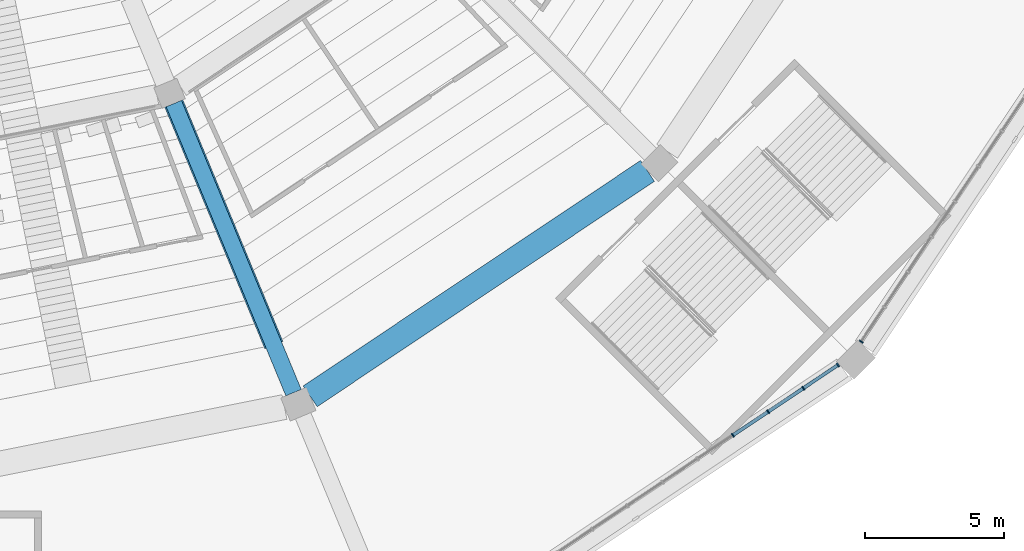
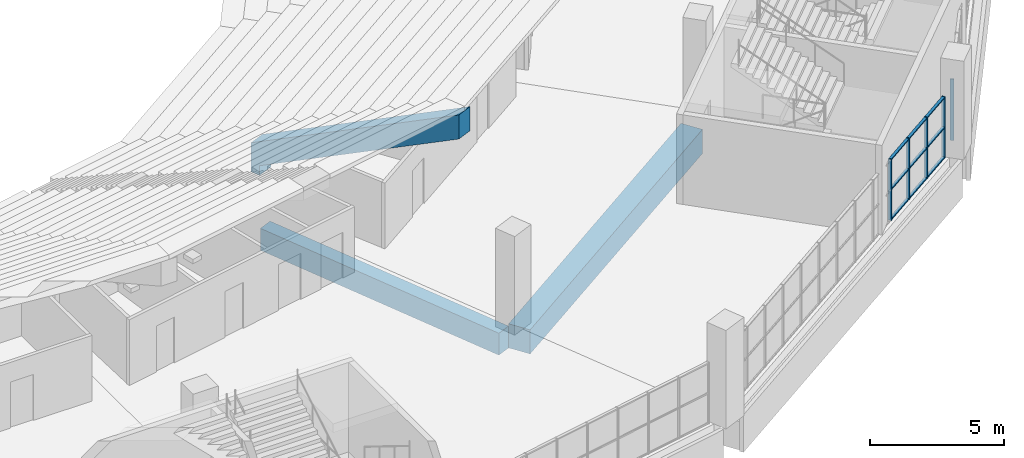
# One storey, part 27 of 249: 14 members, 3 beams, 2 elements without a shape of their own.
"""IFC4 building model written with IfcOpenShell, lengths in metres."""

from ifc_helpers import new_model, si_unit, direction, frame, origin, origin_2d, place, context, subcontext, project, spatial, polyline, rectangle, outline, extrude, material, material_profile, profile_set, type_object, element, aggregate, save


model = new_model("IFC4")

# Units and contexts
model_context = context("Model", 3, precision=1e-05, world=origin(), true_north=direction((0.0, 1.0)))
body_context = subcontext(model_context, "Body", "Model", "MODEL_VIEW")
ifc_project = project(units=[si_unit("LENGTHUNIT", "METRE"), si_unit("AREAUNIT", "SQUARE_METRE"), si_unit("VOLUMEUNIT", "CUBIC_METRE"), si_unit("PLANEANGLEUNIT", "RADIAN"), si_unit("MASSUNIT", "GRAM", prefix="KILO")], contexts=[model_context])

# Site, building, storey
site_placement = place(None, origin())
site = spatial("IfcSite", under=ifc_project, at=site_placement, CompositionType="ELEMENT")
building_placement = place(site_placement, origin())
building = spatial("IfcBuilding", under=site, at=building_placement, Name="Ogive Plaza Stadium", CompositionType="ELEMENT")
storey_placement = place(building_placement, frame((0.0, 0.0, 13.5)))
storey = spatial("IfcBuildingStorey", under=building, at=storey_placement, Name="L03", CompositionType="ELEMENT", Elevation=13.5)

# Curtain wall, member
ifc_material_1 = material(Name="Bronze-anodised aluminium with laminated glass", Category="aluminium")
curtain_wall_type = type_object("IfcCurtainWallType", Name="Lancet curtain wall", PredefinedType="NOTDEFINED", material=ifc_material_1)
curtain_wall_1_placement = place(storey_placement, origin())
curtain_wall_1 = element("IfcCurtainWall", 1, at=curtain_wall_1_placement, inside=storey, type_object=curtain_wall_type, Name="CURTAIN WALL B09 L03", PredefinedType="NOTDEFINED")
ifc_material_2 = material(Name="Bronze-anodised aluminium", Category="aluminium")
ifc_material_profile_1 = material_profile(ifc_material_2, rectangle(XDim=0.14990234375, YDim=0.050048828125, at=origin_2d()), Name="AL 150x50")
ifc_profile_set_1 = profile_set([ifc_material_profile_1], Name="Bronze-anodised aluminium")
member_type_1 = type_object("IfcMemberType", Name="Curtain wall mullion 50x150", PredefinedType="MULLION", material=ifc_profile_set_1)
member_1_placement = place(storey_placement, frame((69.547607421875, -87.20751953125, 0.0), z_axis=(0.0, 0.0, 1.0), x_axis=(0.831469612303, -0.55557023302, 0.0)))
member_1 = element("IfcMember", 2, at=member_1_placement, type_object=member_type_1, Name="CW-B09-L03 mullion 13", PredefinedType="MULLION", context=body_context, shape_type="SweptSolid", body=[
    extrude(rectangle(XDim=0.14990234375, YDim=0.050048828125, at=origin_2d()), origin(), (0.0, 0.0, 1.0), 2.7900390625),
])
aggregate(curtain_wall_1, [member_1])

# Curtain wall, members
curtain_wall_2_placement = place(storey_placement, origin())
curtain_wall_2 = element("IfcCurtainWall", 3, at=curtain_wall_2_placement, inside=storey, type_object=curtain_wall_type, Name="CURTAIN WALL B10 L03", PredefinedType="NOTDEFINED")
member_2_placement = place(storey_placement, frame((68.70751953125, -88.047607421875, 0.0), z_axis=(0.0, 0.0, 1.0), x_axis=(0.55557023302, -0.831469612303, 0.0)))
member_2 = element("IfcMember", 4, at=member_2_placement, type_object=member_type_1, Name="CW-B10-L03 mullion 1", PredefinedType="MULLION", context=body_context, shape_type="SweptSolid", body=[
    extrude(rectangle(XDim=0.14990234375, YDim=0.050048828125, at=origin_2d()), origin(), (0.0, 0.0, 1.0), 2.7900390625),
])
member_3_placement = place(storey_placement, frame((67.462646484375, -88.879638671875, 0.0), z_axis=(0.0, 0.0, 1.0), x_axis=(0.55557023302, -0.831469612303, 0.0)))
member_3 = element("IfcMember", 5, at=member_3_placement, type_object=member_type_1, Name="CW-B10-L03 mullion 2", PredefinedType="MULLION", context=body_context, shape_type="SweptSolid", body=[
    extrude(rectangle(XDim=0.14990234375, YDim=0.050048828125, at=origin_2d()), origin(), (0.0, 0.0, 1.0), 2.7900390625),
])
member_4_placement = place(storey_placement, frame((66.19677734375, -89.725341796875, 0.0), z_axis=(0.0, 0.0, 1.0), x_axis=(0.55557023302, -0.831469612303, 0.0)))
member_4 = element("IfcMember", 6, at=member_4_placement, type_object=member_type_1, Name="CW-B10-L03 mullion 3", PredefinedType="MULLION", context=body_context, shape_type="SweptSolid", body=[
    extrude(rectangle(XDim=0.14990234375, YDim=0.050048828125, at=origin_2d()), origin(), (0.0, 0.0, 1.0), 2.7900390625),
])
member_5_placement = place(storey_placement, frame((64.930908203125, -90.571044921875, 0.0), z_axis=(0.0, 0.0, 1.0), x_axis=(0.55557023302, -0.831469612303, 0.0)))
member_5 = element("IfcMember", 7, at=member_5_placement, type_object=member_type_1, Name="CW-B10-L03 mullion 4", PredefinedType="MULLION", context=body_context, shape_type="SweptSolid", body=[
    extrude(rectangle(XDim=0.14990234375, YDim=0.050048828125, at=origin_2d()), origin(), (0.0, 0.0, 1.0), 2.7900390625),
])
ifc_material_3 = material(Name="Bronze-anodised aluminium", Category="aluminium")
ifc_material_profile_2 = material_profile(ifc_material_3, rectangle(XDim=0.1201171875, YDim=0.050048828125, at=origin_2d()), Name="AL 120x50")
ifc_profile_set_2 = profile_set([ifc_material_profile_2], Name="Bronze-anodised aluminium")
member_type_2 = type_object("IfcMemberType", Name="Curtain wall transom 50x120", PredefinedType="USERDEFINED", material=ifc_profile_set_2)
member_6_placement = place(storey_placement, frame((68.686767578125, -88.0615234375, 0.02490234375), z_axis=(-0.831426948977, -0.555634077892, 0.0), x_axis=(0.555634077892, -0.831426948977, 0.0)))
member_6 = element("IfcMember", 8, at=member_6_placement, type_object=member_type_2, Name="CW-B10-L03 transom 1.1", ObjectType="TRANSOM", PredefinedType="USERDEFINED", context=body_context, shape_type="SweptSolid", body=[
    extrude(rectangle(XDim=0.1201171875, YDim=0.050048828125, at=origin_2d()), origin(), (0.0, 0.0, 1.0), 1.447265625),
])
member_7_placement = place(storey_placement, frame((68.686767578125, -88.0615234375, 1.39501953125), z_axis=(-0.831426948977, -0.555634077892, 0.0), x_axis=(0.555634077892, -0.831426948977, 0.0)))
member_7 = element("IfcMember", 9, at=member_7_placement, type_object=member_type_2, Name="CW-B10-L03 transom 1.2", ObjectType="TRANSOM", PredefinedType="USERDEFINED", context=body_context, shape_type="SweptSolid", body=[
    extrude(rectangle(XDim=0.1201171875, YDim=0.050048828125, at=origin_2d()), origin(), (0.0, 0.0, 1.0), 1.447265625),
])
member_8_placement = place(storey_placement, frame((68.686767578125, -88.0615234375, 2.764892578125), z_axis=(-0.831426948977, -0.555634077892, 0.0), x_axis=(0.555634077892, -0.831426948977, 0.0)))
member_8 = element("IfcMember", 10, at=member_8_placement, type_object=member_type_2, Name="CW-B10-L03 transom 1.3", ObjectType="TRANSOM", PredefinedType="USERDEFINED", context=body_context, shape_type="SweptSolid", body=[
    extrude(rectangle(XDim=0.1201171875, YDim=0.050048828125, at=origin_2d()), origin(), (0.0, 0.0, 1.0), 1.447265625),
])
member_9_placement = place(storey_placement, frame((67.441650390625, -88.893310546875, 0.02490234375), z_axis=(-0.831411982446, -0.555656472512, 0.0), x_axis=(0.555656472512, -0.831411982446, 0.0)))
member_9 = element("IfcMember", 11, at=member_9_placement, type_object=member_type_2, Name="CW-B10-L03 transom 2.1", ObjectType="TRANSOM", PredefinedType="USERDEFINED", context=body_context, shape_type="SweptSolid", body=[
    extrude(rectangle(XDim=0.1201171875, YDim=0.050048828125, at=origin_2d()), origin(), (0.0, 0.0, 1.0), 1.472412109375),
])
member_10_placement = place(storey_placement, frame((67.441650390625, -88.893310546875, 1.39501953125), z_axis=(-0.831411982446, -0.555656472512, 0.0), x_axis=(0.555656472512, -0.831411982446, 0.0)))
member_10 = element("IfcMember", 12, at=member_10_placement, type_object=member_type_2, Name="CW-B10-L03 transom 2.2", ObjectType="TRANSOM", PredefinedType="USERDEFINED", context=body_context, shape_type="SweptSolid", body=[
    extrude(rectangle(XDim=0.1201171875, YDim=0.050048828125, at=origin_2d()), origin(), (0.0, 0.0, 1.0), 1.472412109375),
])
member_11_placement = place(storey_placement, frame((67.441650390625, -88.893310546875, 2.764892578125), z_axis=(-0.831411982446, -0.555656472512, 0.0), x_axis=(0.555656472512, -0.831411982446, 0.0)))
member_11 = element("IfcMember", 13, at=member_11_placement, type_object=member_type_2, Name="CW-B10-L03 transom 2.3", ObjectType="TRANSOM", PredefinedType="USERDEFINED", context=body_context, shape_type="SweptSolid", body=[
    extrude(rectangle(XDim=0.1201171875, YDim=0.050048828125, at=origin_2d()), origin(), (0.0, 0.0, 1.0), 1.472412109375),
])
member_12_placement = place(storey_placement, frame((66.176025390625, -89.7392578125, 0.02490234375), z_axis=(-0.83153975619, -0.555465240925, 0.0), x_axis=(0.555465240925, -0.83153975619, 0.0)))
member_12 = element("IfcMember", 14, at=member_12_placement, type_object=member_type_2, Name="CW-B10-L03 transom 3.1", ObjectType="TRANSOM", PredefinedType="USERDEFINED", context=body_context, shape_type="SweptSolid", body=[
    extrude(rectangle(XDim=0.1201171875, YDim=0.050048828125, at=origin_2d()), origin(), (0.0, 0.0, 1.0), 1.472412109375),
])
member_13_placement = place(storey_placement, frame((66.176025390625, -89.7392578125, 1.39501953125), z_axis=(-0.83153975619, -0.555465240925, 0.0), x_axis=(0.555465240925, -0.83153975619, 0.0)))
member_13 = element("IfcMember", 15, at=member_13_placement, type_object=member_type_2, Name="CW-B10-L03 transom 3.2", ObjectType="TRANSOM", PredefinedType="USERDEFINED", context=body_context, shape_type="SweptSolid", body=[
    extrude(rectangle(XDim=0.1201171875, YDim=0.050048828125, at=origin_2d()), origin(), (0.0, 0.0, 1.0), 1.472412109375),
])
member_14_placement = place(storey_placement, frame((66.176025390625, -89.7392578125, 2.764892578125), z_axis=(-0.83153975619, -0.555465240925, 0.0), x_axis=(0.555465240925, -0.83153975619, 0.0)))
member_14 = element("IfcMember", 16, at=member_14_placement, type_object=member_type_2, Name="CW-B10-L03 transom 3.3", ObjectType="TRANSOM", PredefinedType="USERDEFINED", context=body_context, shape_type="SweptSolid", body=[
    extrude(rectangle(XDim=0.1201171875, YDim=0.050048828125, at=origin_2d()), origin(), (0.0, 0.0, 1.0), 1.472412109375),
])
aggregate(curtain_wall_2, [member_2, member_3, member_4, member_5, member_6, member_7, member_8, member_9, member_10, member_11, member_12, member_13, member_14])

# Beams
ifc_material_4 = material(Name="Concrete C45/55 precast", Category="concrete")
ifc_material_profile_3 = material_profile(ifc_material_4, rectangle(XDim=0.699951171875, YDim=1.10009765625, at=origin_2d()), Name="RC 700x1100")
ifc_profile_set_3 = profile_set([ifc_material_profile_3], Name="Concrete C45/55 precast")
beam_type_1 = type_object("IfcBeamType", Name="Precast raker UT back-span 700x1100", PredefinedType="USERDEFINED", material=ifc_profile_set_3)
beam_1_placement = place(storey_placement, frame((34.0, -52.5, -13.5), z_axis=(0.0, 0.0, 1.0), x_axis=(0.382683432365, -0.923879532511, 0.0)))
element("IfcBeam", 17, at=beam_1_placement, inside=storey, type_object=beam_type_1, Name="RAKER UT BACK-SPAN R11", ObjectType="RAKER", PredefinedType="USERDEFINED", context=body_context, shape_type="SweptSolid", body=[
    extrude(outline(polyline([(27.89990234375, 15.533203125), (28.300048828125, 15.533203125), (28.300048828125, 15.977783203125), (37.699951171875, 21.199951171875), (37.699951171875, 22.300048828125), (27.89990234375, 16.855712890625), (27.89990234375, 15.533203125)])), frame((0.0, 0.35009765625, 0.0), z_axis=(0.0, -1.0, 0.0), x_axis=(1.0, 0.0, 0.0)), (0.0, 0.0, 1.0), 0.699951171875),
])
ifc_material_5 = material(Name="Concrete C40/50", Category="concrete")
ifc_material_profile_4 = material_profile(ifc_material_5, rectangle(XDim=0.60009765625, YDim=1.0, at=origin_2d()), Name="RC 600x1000")
ifc_profile_set_4 = profile_set([ifc_material_profile_4], Name="Concrete C40/50")
beam_type_2 = type_object("IfcBeamType", Name="RC radial beam 600x1000", PredefinedType="BEAM", material=ifc_profile_set_4)
beam_2_placement = place(storey_placement, frame((44.829833984375, -78.645751953125, -0.909912109375), z_axis=(0.382677616283, -0.92388194159, 0.0), x_axis=(0.92388194159, 0.382677616283, 0.0)))
element("IfcBeam", 18, at=beam_2_placement, inside=storey, type_object=beam_type_2, Name="Radial beam L03 R11 F3F4", PredefinedType="BEAM", context=body_context, shape_type="SweptSolid", body=[
    extrude(rectangle(XDim=0.60009765625, YDim=1.0, at=origin_2d()), origin(), (0.0, 0.0, 1.0), 11.250244140625),
])
ifc_material_6 = material(Name="Concrete C40/50", Category="concrete")
ifc_material_profile_5 = material_profile(ifc_material_6, rectangle(XDim=0.89990234375, YDim=1.10009765625, at=origin_2d()), Name="RC 900x1100")
ifc_profile_set_5 = profile_set([ifc_material_profile_5], Name="Concrete C40/50")
beam_type_3 = type_object("IfcBeamType", Name="RC ring beam 900x1100", PredefinedType="BEAM", material=ifc_profile_set_5)
beam_3_placement = place(storey_placement, frame((61.8603515625, -81.0673828125, -0.9599609375), z_axis=(-0.831467933961, -0.555572744827, 0.0), x_axis=(0.555572744827, -0.831467933961, 0.0)))
element("IfcBeam", 19, at=beam_3_placement, inside=storey, type_object=beam_type_3, Name="Ring beam F4 L03 B10", PredefinedType="BEAM", context=body_context, shape_type="SweptSolid", body=[
    extrude(rectangle(XDim=0.89990234375, YDim=1.10009765625, at=origin_2d()), origin(), (0.0, 0.0, 1.0), 14.587646484375),
])

save(model, "model.ifc")
